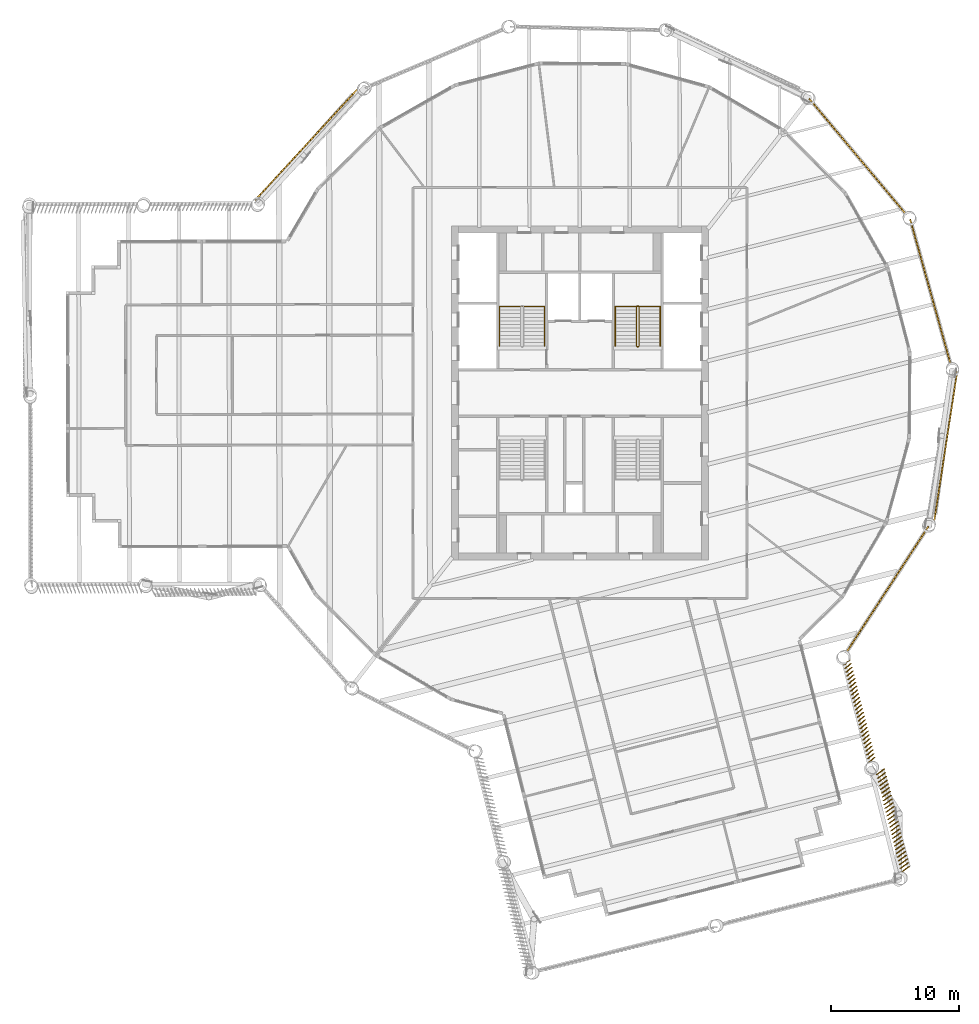
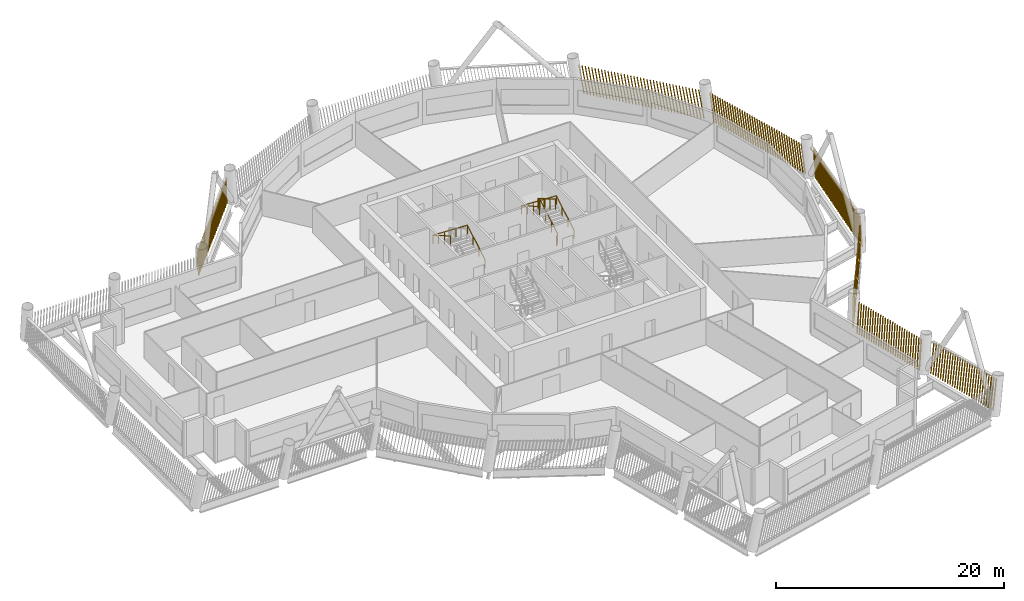
# One storey, part 20 of 22: 7 shading devices, 3 railings.
"""IFC4 building model written with IfcOpenShell, lengths in metres."""

from ifc_helpers import new_model, si_unit, direction, frame, frame_2d, origin, origin_2d, place, context, subcontext, project, spatial, rectangle, circle, composite_profile, extrude, material, type_object, element, save


model = new_model("IFC4")

# Units and contexts
model_context = context("Model", 3, precision=1e-05, world=origin(), true_north=direction((0.0, 1.0)))
body_context = subcontext(model_context, "Body", "Model", "MODEL_VIEW")
ifc_project = project(units=[si_unit("LENGTHUNIT", "METRE"), si_unit("AREAUNIT", "SQUARE_METRE"), si_unit("VOLUMEUNIT", "CUBIC_METRE"), si_unit("PLANEANGLEUNIT", "RADIAN"), si_unit("MASSUNIT", "GRAM", prefix="KILO")], contexts=[model_context])

# Site, building, storey
site_placement = place(None, origin())
site = spatial("IfcSite", under=ifc_project, at=site_placement, CompositionType="ELEMENT")
building_placement = place(site_placement, origin())
building = spatial("IfcBuilding", under=site, at=building_placement, Name="Tarsis Ring Headquarters", CompositionType="ELEMENT")
storey_placement = place(building_placement, frame((0.0, 0.0, 286.39990234375)))
storey = spatial("IfcBuildingStorey", under=building, at=storey_placement, Name="L67", CompositionType="ELEMENT", Elevation=286.39990234375)

# Railings
ifc_material_1 = material(Name="Steel S355", Category="steel")
railing_type_1 = type_object("IfcRailingType", Name="Core stair guard 1100", PredefinedType="GUARDRAIL", material=ifc_material_1)
railing_1_placement = place(storey_placement, frame((4.4599609375, 3.610107421875, 0.0)))
element("IfcRailing", 1, at=railing_1_placement, inside=storey, type_object=railing_type_1, Name="L67 ST2 stair guard 1", PredefinedType="GUARDRAIL", context=body_context, shape_type="SweptSolid", body=[
    extrude(circle(Radius=0.02392578125, at=origin_2d()), frame((0.0, 0.0, 1.076171875), z_axis=(1.0, 0.0, 0.0), x_axis=(0.0, 1.0, 0.0)), (0.0, 0.0, 1.0), 0.080078125),
    extrude(circle(Radius=0.02392578125, at=origin_2d()), frame((0.080078125, 0.0, 1.076171875), z_axis=(0.282336740067, 0.280959487676, 0.917250092119), x_axis=(-0.705375805398, 0.708833529934, 0.0)), (0.0, 0.0, 1.0), 0.17724609375),
    extrude(circle(Radius=0.02392578125, at=origin_2d()), frame((0.130126953125, 0.0498046875, 1.23876953125), z_axis=(0.0, 0.864890721111, 0.501960198159), x_axis=(-1.0, 0.0, 0.0)), (0.0, 0.0, 1.0), 3.561279296875),
    extrude(circle(Radius=0.02392578125, at=origin_2d()), frame((0.130126953125, 3.1298828125, 3.0263671875), z_axis=(-0.707106781187, 0.707106781187, 0.0), x_axis=(-0.707106781187, -0.707106781187, 0.0)), (0.0, 0.0, 1.0), 0.07080078125),
    extrude(circle(Radius=0.02392578125, at=origin_2d()), frame((0.080078125, 3.179931640625, 3.0263671875), z_axis=(-1.0, 0.0, 0.0), x_axis=(0.0, -1.0, 0.0)), (0.0, 0.0, 1.0), 0.080078125),
    extrude(circle(Radius=0.02392578125, at=origin_2d()), frame((0.0, 3.179931640625, 3.0263671875), z_axis=(-0.282583949758, -0.282583949758, 0.916674763849), x_axis=(0.707106781187, -0.707106781187, 0.0)), (0.0, 0.0, 1.0), 0.177001953125),
    extrude(circle(Radius=0.02392578125, at=origin_2d()), frame((-0.050048828125, 3.1298828125, 3.1884765625), z_axis=(0.0, -0.864890721111, 0.501960198159), x_axis=(1.0, 0.0, 0.0)), (0.0, 0.0, 1.0), 3.561279296875),
    extrude(circle(Radius=0.02099609375, at=origin_2d()), origin(), (0.0, 0.0, 1.0), 1.052001953125),
    extrude(circle(Radius=0.02099609375, at=origin_2d()), frame((0.080078125, 0.0, 0.0)), (0.0, 0.0, 1.0), 1.052001953125),
    extrude(circle(Radius=0.02099609375, at=origin_2d()), frame((0.130126953125, 0.0498046875, 0.16259765625)), (0.0, 0.0, 1.0), 1.052001953125),
    extrude(circle(Radius=0.02099609375, at=origin_2d()), frame((0.130126953125, 1.076416015625, 0.758544921875)), (0.0, 0.0, 1.0), 1.052001953125),
    extrude(circle(Radius=0.02099609375, at=origin_2d()), frame((0.130126953125, 2.103271484375, 1.354248046875)), (0.0, 0.0, 1.0), 1.052001953125),
    extrude(circle(Radius=0.02099609375, at=origin_2d()), frame((0.130126953125, 3.1298828125, 1.9501953125)), (0.0, 0.0, 1.0), 1.052001953125),
    extrude(circle(Radius=0.02099609375, at=origin_2d()), frame((0.080078125, 3.179931640625, 1.9501953125)), (0.0, 0.0, 1.0), 1.052001953125),
    extrude(circle(Radius=0.02099609375, at=origin_2d()), frame((0.0, 3.179931640625, 1.9501953125)), (0.0, 0.0, 1.0), 1.052001953125),
    extrude(circle(Radius=0.02099609375, at=origin_2d()), frame((-0.050048828125, 3.1298828125, 2.112548828125)), (0.0, 0.0, 1.0), 1.052001953125),
    extrude(circle(Radius=0.02099609375, at=origin_2d()), frame((-0.050048828125, 2.103271484375, 2.70849609375)), (0.0, 0.0, 1.0), 1.052001953125),
    extrude(circle(Radius=0.02099609375, at=origin_2d()), frame((-0.050048828125, 1.076416015625, 3.30419921875)), (0.0, 0.0, 1.0), 1.052001953125),
    extrude(circle(Radius=0.02099609375, at=origin_2d()), frame((-0.050048828125, 0.0498046875, 3.900146484375)), (0.0, 0.0, 1.0), 1.052001953125),
])
railing_type_2 = type_object("IfcRailingType", Name="Core stair handrail 900", PredefinedType="HANDRAIL", material=ifc_material_1)
railing_2_placement = place(storey_placement, frame((-2.75, 3.659912109375, 0.16259765625)))
element("IfcRailing", 2, at=railing_2_placement, inside=storey, type_object=railing_type_2, Name="L67 ST1 stair handrail 1", PredefinedType="HANDRAIL", context=body_context, shape_type="SweptSolid", body=[
    extrude(circle(Radius=0.02392578125, at=origin_2d()), frame((0.0, 0.0, 0.8759765625), z_axis=(0.0, 0.864890721111, 0.501960198159), x_axis=(-1.0, 0.0, 0.0)), (0.0, 0.0, 1.0), 3.561279296875),
    extrude(circle(Radius=0.02392578125, at=origin_2d()), frame((0.0, 3.080078125, 2.66357421875), z_axis=(-0.998925869279, 0.0, 0.04633689335), x_axis=(0.0, -1.0, 0.0)), (0.0, 0.0, 1.0), 3.503662109375),
    extrude(circle(Radius=0.02392578125, at=origin_2d()), frame((-3.5, 3.080078125, 2.82568359375), z_axis=(0.0, -0.864890721111, 0.501960198159), x_axis=(1.0, 0.0, 0.0)), (0.0, 0.0, 1.0), 3.561279296875),
    extrude(circle(Radius=0.02099609375, at=origin_2d()), origin(), (0.0, 0.0, 1.0), 0.851806640625),
    extrude(circle(Radius=0.02099609375, at=origin_2d()), frame((0.0, 1.026611328125, 0.595947265625)), (0.0, 0.0, 1.0), 0.851806640625),
    extrude(circle(Radius=0.02099609375, at=origin_2d()), frame((0.0, 2.053466796875, 1.191650390625)), (0.0, 0.0, 1.0), 0.851806640625),
    extrude(circle(Radius=0.02099609375, at=origin_2d()), frame((0.0, 3.080078125, 1.78759765625)), (0.0, 0.0, 1.0), 0.851806640625),
    extrude(circle(Radius=0.02099609375, at=origin_2d()), frame((-1.166748046875, 3.080078125, 1.841796875)), (0.0, 0.0, 1.0), 0.851806640625),
    extrude(circle(Radius=0.02099609375, at=origin_2d()), frame((-2.333251953125, 3.080078125, 1.895751953125)), (0.0, 0.0, 1.0), 0.851806640625),
    extrude(circle(Radius=0.02099609375, at=origin_2d()), frame((-3.5, 3.080078125, 1.949951171875)), (0.0, 0.0, 1.0), 0.851806640625),
    extrude(circle(Radius=0.02099609375, at=origin_2d()), frame((-3.5, 2.053466796875, 2.5458984375)), (0.0, 0.0, 1.0), 0.851806640625),
    extrude(circle(Radius=0.02099609375, at=origin_2d()), frame((-3.5, 1.026611328125, 3.1416015625)), (0.0, 0.0, 1.0), 0.851806640625),
    extrude(circle(Radius=0.02099609375, at=origin_2d()), frame((-3.5, 0.0, 3.737548828125)), (0.0, 0.0, 1.0), 0.851806640625),
])
railing_3_placement = place(storey_placement, frame((6.25, 3.659912109375, 0.16259765625)))
element("IfcRailing", 3, at=railing_3_placement, inside=storey, type_object=railing_type_2, Name="L67 ST2 stair handrail 1", PredefinedType="HANDRAIL", context=body_context, shape_type="SweptSolid", body=[
    extrude(circle(Radius=0.02392578125, at=origin_2d()), frame((0.0, 0.0, 0.8759765625), z_axis=(0.0, 0.864890721111, 0.501960198159), x_axis=(-1.0, 0.0, 0.0)), (0.0, 0.0, 1.0), 3.561279296875),
    extrude(circle(Radius=0.02392578125, at=origin_2d()), frame((0.0, 3.080078125, 2.66357421875), z_axis=(-0.998925869279, 0.0, 0.04633689335), x_axis=(0.0, -1.0, 0.0)), (0.0, 0.0, 1.0), 3.503662109375),
    extrude(circle(Radius=0.02392578125, at=origin_2d()), frame((-3.5, 3.080078125, 2.82568359375), z_axis=(0.0, -0.864890721111, 0.501960198159), x_axis=(1.0, 0.0, 0.0)), (0.0, 0.0, 1.0), 3.561279296875),
    extrude(circle(Radius=0.02099609375, at=origin_2d()), origin(), (0.0, 0.0, 1.0), 0.851806640625),
    extrude(circle(Radius=0.02099609375, at=origin_2d()), frame((0.0, 1.026611328125, 0.595947265625)), (0.0, 0.0, 1.0), 0.851806640625),
    extrude(circle(Radius=0.02099609375, at=origin_2d()), frame((0.0, 2.053466796875, 1.191650390625)), (0.0, 0.0, 1.0), 0.851806640625),
    extrude(circle(Radius=0.02099609375, at=origin_2d()), frame((0.0, 3.080078125, 1.78759765625)), (0.0, 0.0, 1.0), 0.851806640625),
    extrude(circle(Radius=0.02099609375, at=origin_2d()), frame((-1.166748046875, 3.080078125, 1.841796875)), (0.0, 0.0, 1.0), 0.851806640625),
    extrude(circle(Radius=0.02099609375, at=origin_2d()), frame((-2.333251953125, 3.080078125, 1.895751953125)), (0.0, 0.0, 1.0), 0.851806640625),
    extrude(circle(Radius=0.02099609375, at=origin_2d()), frame((-3.5, 3.080078125, 1.949951171875)), (0.0, 0.0, 1.0), 0.851806640625),
    extrude(circle(Radius=0.02099609375, at=origin_2d()), frame((-3.5, 2.053466796875, 2.5458984375)), (0.0, 0.0, 1.0), 0.851806640625),
    extrude(circle(Radius=0.02099609375, at=origin_2d()), frame((-3.5, 1.026611328125, 3.1416015625)), (0.0, 0.0, 1.0), 0.851806640625),
    extrude(circle(Radius=0.02099609375, at=origin_2d()), frame((-3.5, 0.0, 3.737548828125)), (0.0, 0.0, 1.0), 0.851806640625),
])

# Shading devices
ifc_material_2 = material(Name="Terracotta baguette", Category="masonry")
shading_device_type = type_object("IfcShadingDeviceType", Name="Terracotta baguette screen", PredefinedType="USERDEFINED", material=ifc_material_2)
shading_device_1_placement = place(storey_placement, frame((25.03564453125, -37.320068359375, 0.0), z_axis=(0.0, 0.0, 1.0), x_axis=(-0.243944636678, 0.969784972813, 0.0)))
element("IfcShadingDevice", 4, at=shading_device_1_placement, inside=storey, type_object=shading_device_type, Name="Baguette screen L67-05", ObjectType="Terracotta baguette screen", PredefinedType="USERDEFINED", context=body_context, shape_type="SweptSolid", body=[
    extrude(composite_profile([rectangle(XDim=0.06005859375, YDim=0.1201171875, at=frame_2d((0.030029296875, 0.0))), rectangle(XDim=0.06005859375, YDim=0.1201171875, at=frame_2d((0.33154296875, 0.0))), rectangle(XDim=0.06005859375, YDim=0.1201171875, at=frame_2d((0.63330078125, 0.0))), rectangle(XDim=0.06005859375, YDim=0.1201171875, at=frame_2d((0.934814453125, 0.0))), rectangle(XDim=0.06005859375, YDim=0.1201171875, at=frame_2d((1.236572265625, 0.0))), rectangle(XDim=0.06005859375, YDim=0.1201171875, at=frame_2d((1.5380859375, 0.0))), rectangle(XDim=0.06005859375, YDim=0.1201171875, at=frame_2d((1.83984375, 0.0))), rectangle(XDim=0.06005859375, YDim=0.1201171875, at=frame_2d((2.141357421875, 0.0))), rectangle(XDim=0.06005859375, YDim=0.1201171875, at=frame_2d((2.443115234375, 0.0))), rectangle(XDim=0.06005859375, YDim=0.1201171875, at=frame_2d((2.74462890625, 0.0))), rectangle(XDim=0.06005859375, YDim=0.1201171875, at=frame_2d((3.04638671875, 0.0))), rectangle(XDim=0.06005859375, YDim=0.1201171875, at=frame_2d((3.347900390625, 0.0))), rectangle(XDim=0.06005859375, YDim=0.1201171875, at=frame_2d((3.649658203125, 0.0))), rectangle(XDim=0.06005859375, YDim=0.1201171875, at=frame_2d((3.951171875, 0.0))), rectangle(XDim=0.06005859375, YDim=0.1201171875, at=frame_2d((4.252685546875, 0.0))), rectangle(XDim=0.06005859375, YDim=0.1201171875, at=frame_2d((4.554443359375, 0.0))), rectangle(XDim=0.06005859375, YDim=0.1201171875, at=frame_2d((4.85595703125, 0.0))), rectangle(XDim=0.06005859375, YDim=0.1201171875, at=frame_2d((5.15771484375, 0.0))), rectangle(XDim=0.06005859375, YDim=0.1201171875, at=frame_2d((5.459228515625, 0.0))), rectangle(XDim=0.06005859375, YDim=0.1201171875, at=frame_2d((5.760986328125, 0.0))), rectangle(XDim=0.06005859375, YDim=0.1201171875, at=frame_2d((6.0625, 0.0))), rectangle(XDim=0.06005859375, YDim=0.1201171875, at=frame_2d((6.3642578125, 0.0))), rectangle(XDim=0.06005859375, YDim=0.1201171875, at=frame_2d((6.665771484375, 0.0))), rectangle(XDim=0.06005859375, YDim=0.1201171875, at=frame_2d((6.967529296875, 0.0))), rectangle(XDim=0.06005859375, YDim=0.1201171875, at=frame_2d((7.26904296875, 0.0))), rectangle(XDim=0.06005859375, YDim=0.1201171875, at=frame_2d((7.57080078125, 0.0))), rectangle(XDim=0.06005859375, YDim=0.1201171875, at=frame_2d((7.872314453125, 0.0)))]), origin(), (0.088631339865, -0.218386753978, 0.971829054557), 3.053955078125),
])
shading_device_2_placement = place(storey_placement, frame((22.500244140625, -28.7783203125, 0.0), z_axis=(0.0, 0.0, 1.0), x_axis=(-0.243944636678, 0.969784972813, 0.0)))
element("IfcShadingDevice", 5, at=shading_device_2_placement, inside=storey, type_object=shading_device_type, Name="Baguette screen L67-06", ObjectType="Terracotta baguette screen", PredefinedType="USERDEFINED", context=body_context, shape_type="SweptSolid", body=[
    extrude(composite_profile([rectangle(XDim=0.06005859375, YDim=0.1201171875, at=frame_2d((0.030029296875, 0.0))), rectangle(XDim=0.06005859375, YDim=0.1201171875, at=frame_2d((0.33154296875, 0.0))), rectangle(XDim=0.06005859375, YDim=0.1201171875, at=frame_2d((0.63330078125, 0.0))), rectangle(XDim=0.06005859375, YDim=0.1201171875, at=frame_2d((0.934814453125, 0.0))), rectangle(XDim=0.06005859375, YDim=0.1201171875, at=frame_2d((1.236572265625, 0.0))), rectangle(XDim=0.06005859375, YDim=0.1201171875, at=frame_2d((1.5380859375, 0.0))), rectangle(XDim=0.06005859375, YDim=0.1201171875, at=frame_2d((1.83984375, 0.0))), rectangle(XDim=0.06005859375, YDim=0.1201171875, at=frame_2d((2.141357421875, 0.0))), rectangle(XDim=0.06005859375, YDim=0.1201171875, at=frame_2d((2.443115234375, 0.0))), rectangle(XDim=0.06005859375, YDim=0.1201171875, at=frame_2d((2.74462890625, 0.0))), rectangle(XDim=0.06005859375, YDim=0.1201171875, at=frame_2d((3.04638671875, 0.0))), rectangle(XDim=0.06005859375, YDim=0.1201171875, at=frame_2d((3.347900390625, 0.0))), rectangle(XDim=0.06005859375, YDim=0.1201171875, at=frame_2d((3.649658203125, 0.0))), rectangle(XDim=0.06005859375, YDim=0.1201171875, at=frame_2d((3.951171875, 0.0))), rectangle(XDim=0.06005859375, YDim=0.1201171875, at=frame_2d((4.252685546875, 0.0))), rectangle(XDim=0.06005859375, YDim=0.1201171875, at=frame_2d((4.554443359375, 0.0))), rectangle(XDim=0.06005859375, YDim=0.1201171875, at=frame_2d((4.85595703125, 0.0))), rectangle(XDim=0.06005859375, YDim=0.1201171875, at=frame_2d((5.15771484375, 0.0))), rectangle(XDim=0.06005859375, YDim=0.1201171875, at=frame_2d((5.459228515625, 0.0))), rectangle(XDim=0.06005859375, YDim=0.1201171875, at=frame_2d((5.760986328125, 0.0))), rectangle(XDim=0.06005859375, YDim=0.1201171875, at=frame_2d((6.0625, 0.0))), rectangle(XDim=0.06005859375, YDim=0.1201171875, at=frame_2d((6.3642578125, 0.0))), rectangle(XDim=0.06005859375, YDim=0.1201171875, at=frame_2d((6.665771484375, 0.0))), rectangle(XDim=0.06005859375, YDim=0.1201171875, at=frame_2d((6.967529296875, 0.0))), rectangle(XDim=0.06005859375, YDim=0.1201171875, at=frame_2d((7.26904296875, 0.0))), rectangle(XDim=0.06005859375, YDim=0.1201171875, at=frame_2d((7.57080078125, 0.0))), rectangle(XDim=0.06005859375, YDim=0.1201171875, at=frame_2d((7.872314453125, 0.0)))]), origin(), (0.086921323026, -0.169241296752, 0.981734214071), 3.023193359375),
])
shading_device_3_placement = place(storey_placement, frame((20.723388671875, -20.2109375, 0.0), z_axis=(0.0, 0.0, 1.0), x_axis=(0.545793905721, 0.83791995833, 0.0)))
element("IfcShadingDevice", 6, at=shading_device_3_placement, inside=storey, type_object=shading_device_type, Name="Baguette screen L67-07", ObjectType="Terracotta baguette screen", PredefinedType="USERDEFINED", context=body_context, shape_type="SweptSolid", body=[
    extrude(composite_profile([rectangle(XDim=0.06005859375, YDim=0.1201171875, at=frame_2d((0.030029296875, 0.0))), rectangle(XDim=0.06005859375, YDim=0.1201171875, at=frame_2d((0.33251953125, 0.0))), rectangle(XDim=0.06005859375, YDim=0.1201171875, at=frame_2d((0.634765625, 0.0))), rectangle(XDim=0.06005859375, YDim=0.1201171875, at=frame_2d((0.937255859375, 0.0))), rectangle(XDim=0.06005859375, YDim=0.1201171875, at=frame_2d((1.239501953125, 0.0))), rectangle(XDim=0.06005859375, YDim=0.1201171875, at=frame_2d((1.5419921875, 0.0))), rectangle(XDim=0.06005859375, YDim=0.1201171875, at=frame_2d((1.844482421875, 0.0))), rectangle(XDim=0.06005859375, YDim=0.1201171875, at=frame_2d((2.146728515625, 0.0))), rectangle(XDim=0.06005859375, YDim=0.1201171875, at=frame_2d((2.44921875, 0.0))), rectangle(XDim=0.06005859375, YDim=0.1201171875, at=frame_2d((2.751708984375, 0.0))), rectangle(XDim=0.06005859375, YDim=0.1201171875, at=frame_2d((3.053955078125, 0.0))), rectangle(XDim=0.06005859375, YDim=0.1201171875, at=frame_2d((3.3564453125, 0.0))), rectangle(XDim=0.06005859375, YDim=0.1201171875, at=frame_2d((3.65869140625, 0.0))), rectangle(XDim=0.06005859375, YDim=0.1201171875, at=frame_2d((3.961181640625, 0.0))), rectangle(XDim=0.06005859375, YDim=0.1201171875, at=frame_2d((4.263671875, 0.0))), rectangle(XDim=0.06005859375, YDim=0.1201171875, at=frame_2d((4.56591796875, 0.0))), rectangle(XDim=0.06005859375, YDim=0.1201171875, at=frame_2d((4.868408203125, 0.0))), rectangle(XDim=0.06005859375, YDim=0.1201171875, at=frame_2d((5.1708984375, 0.0))), rectangle(XDim=0.06005859375, YDim=0.1201171875, at=frame_2d((5.47314453125, 0.0))), rectangle(XDim=0.06005859375, YDim=0.1201171875, at=frame_2d((5.775634765625, 0.0))), rectangle(XDim=0.06005859375, YDim=0.1201171875, at=frame_2d((6.077880859375, 0.0))), rectangle(XDim=0.06005859375, YDim=0.1201171875, at=frame_2d((6.38037109375, 0.0))), rectangle(XDim=0.06005859375, YDim=0.1201171875, at=frame_2d((6.682861328125, 0.0))), rectangle(XDim=0.06005859375, YDim=0.1201171875, at=frame_2d((6.985107421875, 0.0))), rectangle(XDim=0.06005859375, YDim=0.1201171875, at=frame_2d((7.28759765625, 0.0))), rectangle(XDim=0.06005859375, YDim=0.1201171875, at=frame_2d((7.590087890625, 0.0))), rectangle(XDim=0.06005859375, YDim=0.1201171875, at=frame_2d((7.892333984375, 0.0))), rectangle(XDim=0.06005859375, YDim=0.1201171875, at=frame_2d((8.19482421875, 0.0))), rectangle(XDim=0.06005859375, YDim=0.1201171875, at=frame_2d((8.4970703125, 0.0))), rectangle(XDim=0.06005859375, YDim=0.1201171875, at=frame_2d((8.799560546875, 0.0))), rectangle(XDim=0.06005859375, YDim=0.1201171875, at=frame_2d((9.10205078125, 0.0))), rectangle(XDim=0.06005859375, YDim=0.1201171875, at=frame_2d((9.404296875, 0.0))), rectangle(XDim=0.06005859375, YDim=0.1201171875, at=frame_2d((9.706787109375, 0.0))), rectangle(XDim=0.06005859375, YDim=0.1201171875, at=frame_2d((10.00927734375, 0.0))), rectangle(XDim=0.06005859375, YDim=0.1201171875, at=frame_2d((10.3115234375, 0.0))), rectangle(XDim=0.06005859375, YDim=0.1201171875, at=frame_2d((10.614013671875, 0.0))), rectangle(XDim=0.06005859375, YDim=0.1201171875, at=frame_2d((10.916259765625, 0.0))), rectangle(XDim=0.06005859375, YDim=0.1201171875, at=frame_2d((11.21875, 0.0)))]), origin(), (0.164690285488, 0.001437867565, 0.986344281883), 3.009033203125),
])
shading_device_4_placement = place(storey_placement, frame((27.58251953125, -9.928955078125, 0.0), z_axis=(0.0, 0.0, 1.0), x_axis=(0.151882799783, 0.988388497016, 0.0)))
element("IfcShadingDevice", 7, at=shading_device_4_placement, inside=storey, type_object=shading_device_type, Name="Baguette screen L67-08", ObjectType="Terracotta baguette screen", PredefinedType="USERDEFINED", context=body_context, shape_type="SweptSolid", body=[
    extrude(composite_profile([rectangle(XDim=0.06005859375, YDim=0.1201171875, at=frame_2d((0.030029296875, 0.0))), rectangle(XDim=0.06005859375, YDim=0.1201171875, at=frame_2d((0.33251953125, 0.0))), rectangle(XDim=0.06005859375, YDim=0.1201171875, at=frame_2d((0.634765625, 0.0))), rectangle(XDim=0.06005859375, YDim=0.1201171875, at=frame_2d((0.937255859375, 0.0))), rectangle(XDim=0.06005859375, YDim=0.1201171875, at=frame_2d((1.239501953125, 0.0))), rectangle(XDim=0.06005859375, YDim=0.1201171875, at=frame_2d((1.5419921875, 0.0))), rectangle(XDim=0.06005859375, YDim=0.1201171875, at=frame_2d((1.844482421875, 0.0))), rectangle(XDim=0.06005859375, YDim=0.1201171875, at=frame_2d((2.146728515625, 0.0))), rectangle(XDim=0.06005859375, YDim=0.1201171875, at=frame_2d((2.44921875, 0.0))), rectangle(XDim=0.06005859375, YDim=0.1201171875, at=frame_2d((2.751708984375, 0.0))), rectangle(XDim=0.06005859375, YDim=0.1201171875, at=frame_2d((3.053955078125, 0.0))), rectangle(XDim=0.06005859375, YDim=0.1201171875, at=frame_2d((3.3564453125, 0.0))), rectangle(XDim=0.06005859375, YDim=0.1201171875, at=frame_2d((3.65869140625, 0.0))), rectangle(XDim=0.06005859375, YDim=0.1201171875, at=frame_2d((3.961181640625, 0.0))), rectangle(XDim=0.06005859375, YDim=0.1201171875, at=frame_2d((4.263671875, 0.0))), rectangle(XDim=0.06005859375, YDim=0.1201171875, at=frame_2d((4.56591796875, 0.0))), rectangle(XDim=0.06005859375, YDim=0.1201171875, at=frame_2d((4.868408203125, 0.0))), rectangle(XDim=0.06005859375, YDim=0.1201171875, at=frame_2d((5.1708984375, 0.0))), rectangle(XDim=0.06005859375, YDim=0.1201171875, at=frame_2d((5.47314453125, 0.0))), rectangle(XDim=0.06005859375, YDim=0.1201171875, at=frame_2d((5.775634765625, 0.0))), rectangle(XDim=0.06005859375, YDim=0.1201171875, at=frame_2d((6.077880859375, 0.0))), rectangle(XDim=0.06005859375, YDim=0.1201171875, at=frame_2d((6.38037109375, 0.0))), rectangle(XDim=0.06005859375, YDim=0.1201171875, at=frame_2d((6.682861328125, 0.0))), rectangle(XDim=0.06005859375, YDim=0.1201171875, at=frame_2d((6.985107421875, 0.0))), rectangle(XDim=0.06005859375, YDim=0.1201171875, at=frame_2d((7.28759765625, 0.0))), rectangle(XDim=0.06005859375, YDim=0.1201171875, at=frame_2d((7.590087890625, 0.0))), rectangle(XDim=0.06005859375, YDim=0.1201171875, at=frame_2d((7.892333984375, 0.0))), rectangle(XDim=0.06005859375, YDim=0.1201171875, at=frame_2d((8.19482421875, 0.0))), rectangle(XDim=0.06005859375, YDim=0.1201171875, at=frame_2d((8.4970703125, 0.0))), rectangle(XDim=0.06005859375, YDim=0.1201171875, at=frame_2d((8.799560546875, 0.0))), rectangle(XDim=0.06005859375, YDim=0.1201171875, at=frame_2d((9.10205078125, 0.0))), rectangle(XDim=0.06005859375, YDim=0.1201171875, at=frame_2d((9.404296875, 0.0))), rectangle(XDim=0.06005859375, YDim=0.1201171875, at=frame_2d((9.706787109375, 0.0))), rectangle(XDim=0.06005859375, YDim=0.1201171875, at=frame_2d((10.00927734375, 0.0))), rectangle(XDim=0.06005859375, YDim=0.1201171875, at=frame_2d((10.3115234375, 0.0))), rectangle(XDim=0.06005859375, YDim=0.1201171875, at=frame_2d((10.614013671875, 0.0))), rectangle(XDim=0.06005859375, YDim=0.1201171875, at=frame_2d((10.916259765625, 0.0))), rectangle(XDim=0.06005859375, YDim=0.1201171875, at=frame_2d((11.21875, 0.0)))]), origin(), (0.166803573552, 0.00145549426, 0.985989071637), 3.01025390625),
])
shading_device_5_placement = place(storey_placement, frame((28.86181640625, 2.22216796875, 0.0), z_axis=(0.0, 0.0, 1.0), x_axis=(-0.269017905589, 0.963125339121, 0.0)))
element("IfcShadingDevice", 8, at=shading_device_5_placement, inside=storey, type_object=shading_device_type, Name="Baguette screen L67-09", ObjectType="Terracotta baguette screen", PredefinedType="USERDEFINED", context=body_context, shape_type="SweptSolid", body=[
    extrude(composite_profile([rectangle(XDim=0.06005859375, YDim=0.1201171875, at=frame_2d((0.030029296875, 0.0))), rectangle(XDim=0.06005859375, YDim=0.1201171875, at=frame_2d((0.33251953125, 0.0))), rectangle(XDim=0.06005859375, YDim=0.1201171875, at=frame_2d((0.634765625, 0.0))), rectangle(XDim=0.06005859375, YDim=0.1201171875, at=frame_2d((0.937255859375, 0.0))), rectangle(XDim=0.06005859375, YDim=0.1201171875, at=frame_2d((1.239501953125, 0.0))), rectangle(XDim=0.06005859375, YDim=0.1201171875, at=frame_2d((1.5419921875, 0.0))), rectangle(XDim=0.06005859375, YDim=0.1201171875, at=frame_2d((1.844482421875, 0.0))), rectangle(XDim=0.06005859375, YDim=0.1201171875, at=frame_2d((2.146728515625, 0.0))), rectangle(XDim=0.06005859375, YDim=0.1201171875, at=frame_2d((2.44921875, 0.0))), rectangle(XDim=0.06005859375, YDim=0.1201171875, at=frame_2d((2.751708984375, 0.0))), rectangle(XDim=0.06005859375, YDim=0.1201171875, at=frame_2d((3.053955078125, 0.0))), rectangle(XDim=0.06005859375, YDim=0.1201171875, at=frame_2d((3.3564453125, 0.0))), rectangle(XDim=0.06005859375, YDim=0.1201171875, at=frame_2d((3.65869140625, 0.0))), rectangle(XDim=0.06005859375, YDim=0.1201171875, at=frame_2d((3.961181640625, 0.0))), rectangle(XDim=0.06005859375, YDim=0.1201171875, at=frame_2d((4.263671875, 0.0))), rectangle(XDim=0.06005859375, YDim=0.1201171875, at=frame_2d((4.56591796875, 0.0))), rectangle(XDim=0.06005859375, YDim=0.1201171875, at=frame_2d((4.868408203125, 0.0))), rectangle(XDim=0.06005859375, YDim=0.1201171875, at=frame_2d((5.1708984375, 0.0))), rectangle(XDim=0.06005859375, YDim=0.1201171875, at=frame_2d((5.47314453125, 0.0))), rectangle(XDim=0.06005859375, YDim=0.1201171875, at=frame_2d((5.775634765625, 0.0))), rectangle(XDim=0.06005859375, YDim=0.1201171875, at=frame_2d((6.077880859375, 0.0))), rectangle(XDim=0.06005859375, YDim=0.1201171875, at=frame_2d((6.38037109375, 0.0))), rectangle(XDim=0.06005859375, YDim=0.1201171875, at=frame_2d((6.682861328125, 0.0))), rectangle(XDim=0.06005859375, YDim=0.1201171875, at=frame_2d((6.985107421875, 0.0))), rectangle(XDim=0.06005859375, YDim=0.1201171875, at=frame_2d((7.28759765625, 0.0))), rectangle(XDim=0.06005859375, YDim=0.1201171875, at=frame_2d((7.590087890625, 0.0))), rectangle(XDim=0.06005859375, YDim=0.1201171875, at=frame_2d((7.892333984375, 0.0))), rectangle(XDim=0.06005859375, YDim=0.1201171875, at=frame_2d((8.19482421875, 0.0))), rectangle(XDim=0.06005859375, YDim=0.1201171875, at=frame_2d((8.4970703125, 0.0))), rectangle(XDim=0.06005859375, YDim=0.1201171875, at=frame_2d((8.799560546875, 0.0))), rectangle(XDim=0.06005859375, YDim=0.1201171875, at=frame_2d((9.10205078125, 0.0))), rectangle(XDim=0.06005859375, YDim=0.1201171875, at=frame_2d((9.404296875, 0.0))), rectangle(XDim=0.06005859375, YDim=0.1201171875, at=frame_2d((9.706787109375, 0.0))), rectangle(XDim=0.06005859375, YDim=0.1201171875, at=frame_2d((10.00927734375, 0.0))), rectangle(XDim=0.06005859375, YDim=0.1201171875, at=frame_2d((10.3115234375, 0.0))), rectangle(XDim=0.06005859375, YDim=0.1201171875, at=frame_2d((10.614013671875, 0.0))), rectangle(XDim=0.06005859375, YDim=0.1201171875, at=frame_2d((10.916259765625, 0.0))), rectangle(XDim=0.06005859375, YDim=0.1201171875, at=frame_2d((11.21875, 0.0)))]), origin(), (0.164688904238, 0.001437835478, 0.986344512556), 3.009033203125),
])
shading_device_6_placement = place(storey_placement, frame((25.380126953125, 13.921142578125, 0.0), z_axis=(0.0, 0.0, 1.0), x_axis=(-0.642105263158, 0.766619641888, 0.0)))
element("IfcShadingDevice", 9, at=shading_device_6_placement, inside=storey, type_object=shading_device_type, Name="Baguette screen L67-10", ObjectType="Terracotta baguette screen", PredefinedType="USERDEFINED", context=body_context, shape_type="SweptSolid", body=[
    extrude(composite_profile([rectangle(XDim=0.06005859375, YDim=0.1201171875, at=frame_2d((0.030029296875, 0.0))), rectangle(XDim=0.06005859375, YDim=0.1201171875, at=frame_2d((0.33251953125, 0.0))), rectangle(XDim=0.06005859375, YDim=0.1201171875, at=frame_2d((0.634765625, 0.0))), rectangle(XDim=0.06005859375, YDim=0.1201171875, at=frame_2d((0.937255859375, 0.0))), rectangle(XDim=0.06005859375, YDim=0.1201171875, at=frame_2d((1.239501953125, 0.0))), rectangle(XDim=0.06005859375, YDim=0.1201171875, at=frame_2d((1.5419921875, 0.0))), rectangle(XDim=0.06005859375, YDim=0.1201171875, at=frame_2d((1.844482421875, 0.0))), rectangle(XDim=0.06005859375, YDim=0.1201171875, at=frame_2d((2.146728515625, 0.0))), rectangle(XDim=0.06005859375, YDim=0.1201171875, at=frame_2d((2.44921875, 0.0))), rectangle(XDim=0.06005859375, YDim=0.1201171875, at=frame_2d((2.751708984375, 0.0))), rectangle(XDim=0.06005859375, YDim=0.1201171875, at=frame_2d((3.053955078125, 0.0))), rectangle(XDim=0.06005859375, YDim=0.1201171875, at=frame_2d((3.3564453125, 0.0))), rectangle(XDim=0.06005859375, YDim=0.1201171875, at=frame_2d((3.65869140625, 0.0))), rectangle(XDim=0.06005859375, YDim=0.1201171875, at=frame_2d((3.961181640625, 0.0))), rectangle(XDim=0.06005859375, YDim=0.1201171875, at=frame_2d((4.263671875, 0.0))), rectangle(XDim=0.06005859375, YDim=0.1201171875, at=frame_2d((4.56591796875, 0.0))), rectangle(XDim=0.06005859375, YDim=0.1201171875, at=frame_2d((4.868408203125, 0.0))), rectangle(XDim=0.06005859375, YDim=0.1201171875, at=frame_2d((5.1708984375, 0.0))), rectangle(XDim=0.06005859375, YDim=0.1201171875, at=frame_2d((5.47314453125, 0.0))), rectangle(XDim=0.06005859375, YDim=0.1201171875, at=frame_2d((5.775634765625, 0.0))), rectangle(XDim=0.06005859375, YDim=0.1201171875, at=frame_2d((6.077880859375, 0.0))), rectangle(XDim=0.06005859375, YDim=0.1201171875, at=frame_2d((6.38037109375, 0.0))), rectangle(XDim=0.06005859375, YDim=0.1201171875, at=frame_2d((6.682861328125, 0.0))), rectangle(XDim=0.06005859375, YDim=0.1201171875, at=frame_2d((6.985107421875, 0.0))), rectangle(XDim=0.06005859375, YDim=0.1201171875, at=frame_2d((7.28759765625, 0.0))), rectangle(XDim=0.06005859375, YDim=0.1201171875, at=frame_2d((7.590087890625, 0.0))), rectangle(XDim=0.06005859375, YDim=0.1201171875, at=frame_2d((7.892333984375, 0.0))), rectangle(XDim=0.06005859375, YDim=0.1201171875, at=frame_2d((8.19482421875, 0.0))), rectangle(XDim=0.06005859375, YDim=0.1201171875, at=frame_2d((8.4970703125, 0.0))), rectangle(XDim=0.06005859375, YDim=0.1201171875, at=frame_2d((8.799560546875, 0.0))), rectangle(XDim=0.06005859375, YDim=0.1201171875, at=frame_2d((9.10205078125, 0.0))), rectangle(XDim=0.06005859375, YDim=0.1201171875, at=frame_2d((9.404296875, 0.0))), rectangle(XDim=0.06005859375, YDim=0.1201171875, at=frame_2d((9.706787109375, 0.0))), rectangle(XDim=0.06005859375, YDim=0.1201171875, at=frame_2d((10.00927734375, 0.0))), rectangle(XDim=0.06005859375, YDim=0.1201171875, at=frame_2d((10.3115234375, 0.0))), rectangle(XDim=0.06005859375, YDim=0.1201171875, at=frame_2d((10.614013671875, 0.0))), rectangle(XDim=0.06005859375, YDim=0.1201171875, at=frame_2d((10.916259765625, 0.0))), rectangle(XDim=0.06005859375, YDim=0.1201171875, at=frame_2d((11.21875, 0.0)))]), origin(), (0.164690674206, 0.001437034694, 0.986344218192), 3.009033203125),
])
shading_device_7_placement = place(storey_placement, frame((-17.33740234375, 23.638916015625, 0.0), z_axis=(0.0, 0.0, 1.0), x_axis=(-0.677916440586, -0.735149213239, 0.0)))
element("IfcShadingDevice", 10, at=shading_device_7_placement, inside=storey, type_object=shading_device_type, Name="Baguette screen L67-14", ObjectType="Terracotta baguette screen", PredefinedType="USERDEFINED", context=body_context, shape_type="SweptSolid", body=[
    extrude(composite_profile([rectangle(XDim=0.06005859375, YDim=0.1201171875, at=frame_2d((0.030029296875, 0.0))), rectangle(XDim=0.06005859375, YDim=0.1201171875, at=frame_2d((0.33251953125, 0.0))), rectangle(XDim=0.06005859375, YDim=0.1201171875, at=frame_2d((0.634765625, 0.0))), rectangle(XDim=0.06005859375, YDim=0.1201171875, at=frame_2d((0.937255859375, 0.0))), rectangle(XDim=0.06005859375, YDim=0.1201171875, at=frame_2d((1.239501953125, 0.0))), rectangle(XDim=0.06005859375, YDim=0.1201171875, at=frame_2d((1.5419921875, 0.0))), rectangle(XDim=0.06005859375, YDim=0.1201171875, at=frame_2d((1.844482421875, 0.0))), rectangle(XDim=0.06005859375, YDim=0.1201171875, at=frame_2d((2.146728515625, 0.0))), rectangle(XDim=0.06005859375, YDim=0.1201171875, at=frame_2d((2.44921875, 0.0))), rectangle(XDim=0.06005859375, YDim=0.1201171875, at=frame_2d((2.751708984375, 0.0))), rectangle(XDim=0.06005859375, YDim=0.1201171875, at=frame_2d((3.053955078125, 0.0))), rectangle(XDim=0.06005859375, YDim=0.1201171875, at=frame_2d((3.3564453125, 0.0))), rectangle(XDim=0.06005859375, YDim=0.1201171875, at=frame_2d((3.65869140625, 0.0))), rectangle(XDim=0.06005859375, YDim=0.1201171875, at=frame_2d((3.961181640625, 0.0))), rectangle(XDim=0.06005859375, YDim=0.1201171875, at=frame_2d((4.263671875, 0.0))), rectangle(XDim=0.06005859375, YDim=0.1201171875, at=frame_2d((4.56591796875, 0.0))), rectangle(XDim=0.06005859375, YDim=0.1201171875, at=frame_2d((4.868408203125, 0.0))), rectangle(XDim=0.06005859375, YDim=0.1201171875, at=frame_2d((5.1708984375, 0.0))), rectangle(XDim=0.06005859375, YDim=0.1201171875, at=frame_2d((5.47314453125, 0.0))), rectangle(XDim=0.06005859375, YDim=0.1201171875, at=frame_2d((5.775634765625, 0.0))), rectangle(XDim=0.06005859375, YDim=0.1201171875, at=frame_2d((6.077880859375, 0.0))), rectangle(XDim=0.06005859375, YDim=0.1201171875, at=frame_2d((6.38037109375, 0.0))), rectangle(XDim=0.06005859375, YDim=0.1201171875, at=frame_2d((6.682861328125, 0.0))), rectangle(XDim=0.06005859375, YDim=0.1201171875, at=frame_2d((6.985107421875, 0.0))), rectangle(XDim=0.06005859375, YDim=0.1201171875, at=frame_2d((7.28759765625, 0.0))), rectangle(XDim=0.06005859375, YDim=0.1201171875, at=frame_2d((7.590087890625, 0.0))), rectangle(XDim=0.06005859375, YDim=0.1201171875, at=frame_2d((7.892333984375, 0.0))), rectangle(XDim=0.06005859375, YDim=0.1201171875, at=frame_2d((8.19482421875, 0.0))), rectangle(XDim=0.06005859375, YDim=0.1201171875, at=frame_2d((8.4970703125, 0.0))), rectangle(XDim=0.06005859375, YDim=0.1201171875, at=frame_2d((8.799560546875, 0.0))), rectangle(XDim=0.06005859375, YDim=0.1201171875, at=frame_2d((9.10205078125, 0.0))), rectangle(XDim=0.06005859375, YDim=0.1201171875, at=frame_2d((9.404296875, 0.0))), rectangle(XDim=0.06005859375, YDim=0.1201171875, at=frame_2d((9.706787109375, 0.0))), rectangle(XDim=0.06005859375, YDim=0.1201171875, at=frame_2d((10.00927734375, 0.0))), rectangle(XDim=0.06005859375, YDim=0.1201171875, at=frame_2d((10.3115234375, 0.0))), rectangle(XDim=0.06005859375, YDim=0.1201171875, at=frame_2d((10.614013671875, 0.0))), rectangle(XDim=0.06005859375, YDim=0.1201171875, at=frame_2d((10.916259765625, 0.0))), rectangle(XDim=0.06005859375, YDim=0.1201171875, at=frame_2d((11.21875, 0.0)))]), origin(), (0.166806181529, 0.001454028797, 0.985988632594), 3.01025390625),
])

save(model, "model.ifc")
